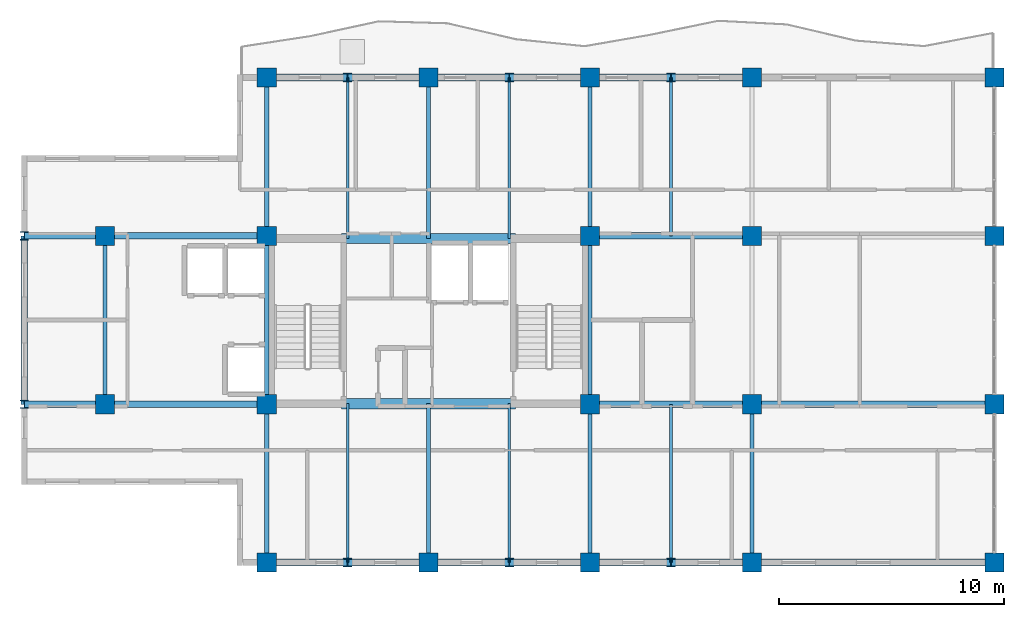
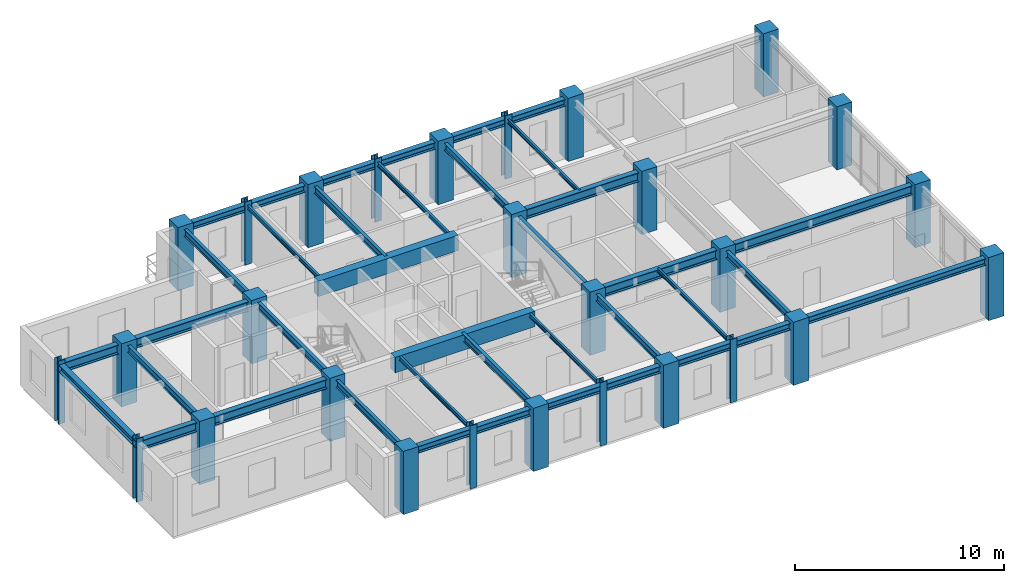
# One storey, part 1 of 10: 39 beams, 28 columns.
"""IFC4 building model written with IfcOpenShell, lengths in metres."""

from ifc_helpers import new_model, si_unit, direction, frame, origin, origin_2d, place, context, subcontext, project, spatial, rectangle, i_section, extrude, source, transform, mapped, material, material_profile, profile_set, type_object, element, save


model = new_model("IFC4")

# Units and contexts
model_context = context("Model", 3, precision=1e-05, world=origin(), true_north=direction((0.0, 1.0)))
body_context = subcontext(model_context, "Body", "Model", "MODEL_VIEW")
ifc_project = project(units=[si_unit("LENGTHUNIT", "METRE"), si_unit("AREAUNIT", "SQUARE_METRE"), si_unit("VOLUMEUNIT", "CUBIC_METRE"), si_unit("PLANEANGLEUNIT", "RADIAN"), si_unit("MASSUNIT", "GRAM", prefix="KILO")], contexts=[model_context])

# Site, building, storey
site_placement = place(None, origin())
site = spatial("IfcSite", under=ifc_project, at=site_placement, CompositionType="ELEMENT")
building_placement = place(site_placement, origin())
building = spatial("IfcBuilding", under=site, at=building_placement, Name="Kaliganga Portal Commons", CompositionType="ELEMENT")
storey_placement = place(building_placement, frame((0.0, 0.0, 283.199951171875)))
storey = spatial("IfcBuildingStorey", under=building, at=storey_placement, Name="L73", CompositionType="ELEMENT", Elevation=283.199951171875)

# Columns
ifc_material_1 = material(Name="Concrete C50/60", Category="concrete")
ifc_material_profile_1 = material_profile(ifc_material_1, rectangle(XDim=0.85009765625, YDim=0.85009765625, at=origin_2d()), Name="RC 850x850")
ifc_profile_set_1 = profile_set([ifc_material_profile_1], Name="Concrete C50/60")
column_type_1 = type_object("IfcColumnType", Name="COL-MEGA-Z5", PredefinedType="COLUMN", material=ifc_profile_set_1)
shared_shape_1 = source(origin(), body_context, "Body", "SweptSolid", [
    extrude(rectangle(XDim=0.85009765625, YDim=0.85009765625, at=origin_2d()), origin(), (0.0, 0.0, 1.0), 3.699951171875),
])
for number, where, z_axis, x_axis, name in (
    (1, (7.199951171875, 28.64990234375, 0.0), (0.0, 0.0, 1.0), (1.0, 0.0, 0.0), "Column MC-06 L73"),
    (2, (7.199951171875, 36.14990234375, 0.0), (0.0, 0.0, 1.0), (1.0, 0.0, 0.0), "Column MC-06 L73"),
    (3, (14.39990234375, 21.60009765625, 0.0), (0.0, 0.0, 1.0), (1.0, 0.0, 0.0), "Column MC-06 L73"),
    (4, (14.39990234375, 28.64990234375, 0.0), (0.0, 0.0, 1.0), (1.0, 0.0, 0.0), "Column MC-06 L73"),
    (5, (14.39990234375, 36.14990234375, 0.0), (0.0, 0.0, 1.0), (1.0, 0.0, 0.0), "Column MC-06 L73"),
    (6, (14.39990234375, 43.199951171875, 0.0), (0.0, 0.0, 1.0), (1.0, 0.0, 0.0), "Column MC-06 L73"),
    (7, (21.60009765625, 21.60009765625, 0.0), (0.0, 0.0, 1.0), (1.0, 0.0, 0.0), "Column MC-06 L73"),
    (8, (21.60009765625, 43.199951171875, 0.0), (0.0, 0.0, 1.0), (1.0, 0.0, 0.0), "Column MC-06 L73"),
    (9, (28.800048828125, 21.60009765625, 0.0), (0.0, 0.0, 1.0), (1.0, 0.0, 0.0), "Column MC-06 L73"),
    (10, (28.800048828125, 28.64990234375, 0.0), (0.0, 0.0, 1.0), (1.0, 0.0, 0.0), "Column MC-06 L73"),
    (11, (28.800048828125, 36.14990234375, 0.0), (0.0, 0.0, 1.0), (1.0, 0.0, 0.0), "Column MC-06 L73"),
    (12, (28.800048828125, 43.199951171875, 0.0), (0.0, 0.0, 1.0), (1.0, 0.0, 0.0), "Column MC-06 L73"),
    (13, (36.0, 21.60009765625, 0.0), (0.0, 0.0, 1.0), (1.0, 0.0, 0.0), "Column MC-06 L73"),
    (14, (36.0, 43.199951171875, 0.0), (0.0, 0.0, 1.0), (1.0, 0.0, 0.0), "Column MC-06 L73"),
    (15, (36.0, 28.64990234375, 0.0), (0.0, 0.0, 1.0), (1.0, 0.0, 0.0), "Column MC-06 L73"),
    (16, (36.0, 36.14990234375, 0.0), (0.0, 0.0, 1.0), (1.0, 0.0, 0.0), "Column MC-06 L73"),
    (17, (46.800048828125, 21.60009765625, 0.0), (0.0, 0.0, 1.0), (1.0, 0.0, 0.0), "Column MC-06 L73"),
    (18, (46.800048828125, 28.64990234375, 0.0), (0.0, 0.0, 1.0), (1.0, 0.0, 0.0), "Column MC-06 L73"),
    (19, (46.800048828125, 36.14990234375, 0.0), (0.0, 0.0, 1.0), (1.0, 0.0, 0.0), "Column MC-06 L73"),
    (20, (46.800048828125, 43.199951171875, 0.0), (0.0, 0.0, 1.0), (1.0, 0.0, 0.0), "Column MC-06 L73"),
):
    element("IfcColumn", number, at=place(storey_placement, frame(where, z_axis=z_axis, x_axis=x_axis)), inside=storey, type_object=column_type_1, Name=name, PredefinedType="COLUMN", context=body_context, shape_type="MappedRepresentation", body=[
        mapped(shared_shape_1, transform((0.0, 0.0, 0.0), x_axis=(1.0, 0.0, 0.0), y_axis=(0.0, 1.0, 0.0), z_axis=(0.0, 0.0, 1.0), scale=1.0)),
    ])
ifc_material_2 = material(Name="Structural steel S355J2", Category="steel")
ifc_material_profile_2 = material_profile(ifc_material_2, i_section(OverallWidth=0.3740234375, OverallDepth=0.3720703125, WebThickness=0.014892578125, FlangeThickness=0.02587890625, FilletRadius=0.014892578125, at=origin_2d()), Name="HD 360x196")
ifc_profile_set_2 = profile_set([ifc_material_profile_2], Name="Structural steel S355J2 wide-flange")
column_type_2 = type_object("IfcColumnType", Name="COL-TUBE-B5", PredefinedType="COLUMN", material=ifc_profile_set_2)
shared_shape_2 = source(origin(), body_context, "Body", "SweptSolid", [
    extrude(i_section(OverallWidth=0.3740234375, OverallDepth=0.3720703125, WebThickness=0.014892578125, FlangeThickness=0.02587890625, FilletRadius=0.014892578125, at=origin_2d()), origin(), (0.0, 0.0, 1.0), 3.699951171875),
])
for number, where, z_axis, x_axis, name in (
    (21, (3.60009765625, 28.64990234375, 0.0), (0.0, 0.0, 1.0), (1.0, 0.0, 0.0), "Column TC-05 L73"),
    (22, (3.60009765625, 36.14990234375, 0.0), (0.0, 0.0, 1.0), (1.0, 0.0, 0.0), "Column TC-05 L73"),
    (23, (18.0, 21.60009765625, 0.0), (0.0, 0.0, 1.0), (1.0, 0.0, 0.0), "Column TC-05 L73"),
    (24, (18.0, 43.199951171875, 0.0), (0.0, 0.0, 1.0), (1.0, 0.0, 0.0), "Column TC-05 L73"),
    (25, (25.199951171875, 21.60009765625, 0.0), (0.0, 0.0, 1.0), (1.0, 0.0, 0.0), "Column TC-05 L73"),
    (26, (25.199951171875, 43.199951171875, 0.0), (0.0, 0.0, 1.0), (1.0, 0.0, 0.0), "Column TC-05 L73"),
    (27, (32.39990234375, 21.60009765625, 0.0), (0.0, 0.0, 1.0), (1.0, 0.0, 0.0), "Column TC-05 L73"),
    (28, (32.39990234375, 43.199951171875, 0.0), (0.0, 0.0, 1.0), (1.0, 0.0, 0.0), "Column TC-05 L73"),
):
    element("IfcColumn", number, at=place(storey_placement, frame(where, z_axis=z_axis, x_axis=x_axis)), inside=storey, type_object=column_type_2, Name=name, PredefinedType="COLUMN", context=body_context, shape_type="MappedRepresentation", body=[
        mapped(shared_shape_2, transform((0.0, 0.0, 0.0), x_axis=(1.0, 0.0, 0.0), y_axis=(0.0, 1.0, 0.0), z_axis=(0.0, 0.0, 1.0), scale=1.0)),
    ])

# Beams
ifc_material_profile_3 = material_profile(ifc_material_1, rectangle(XDim=0.449951171875, YDim=0.89990234375, at=origin_2d()), Name="RC 450x900")
ifc_profile_set_3 = profile_set([ifc_material_profile_3], Name="Concrete C50/60")
beam_type_1 = type_object("IfcBeamType", Name="BM-CPL-900", PredefinedType="LINTEL", material=ifc_profile_set_3)
shared_shape_3 = source(origin(), body_context, "Body", "SweptSolid", [
    extrude(rectangle(XDim=0.449951171875, YDim=0.89990234375, at=origin_2d()), origin(), (0.0, 0.0, 1.0), 7.739990234375),
])
for number, where, z_axis, x_axis, name in (
    (29, (17.72998046875, 28.675048828125, 3.025146484375), (1.0, 0.0, 0.0), (0.0, 1.0, 0.0), "BM CPL COREA L73 S"),
    (30, (17.72998046875, 36.02490234375, 3.025146484375), (1.0, 0.0, 0.0), (0.0, 1.0, 0.0), "BM CPL COREA L73 N"),
):
    element("IfcBeam", number, at=place(storey_placement, frame(where, z_axis=z_axis, x_axis=x_axis)), inside=storey, type_object=beam_type_1, Name=name, PredefinedType="LINTEL", context=body_context, shape_type="MappedRepresentation", body=[
        mapped(shared_shape_3, transform((0.0, 0.0, 0.0), x_axis=(1.0, 0.0, 0.0), y_axis=(0.0, 1.0, 0.0), z_axis=(0.0, 0.0, 1.0), scale=1.0)),
    ])
ifc_material_profile_4 = material_profile(ifc_material_2, i_section(OverallWidth=0.300048828125, OverallDepth=0.39990234375, WebThickness=0.013427734375, FlangeThickness=0.02392578125, FilletRadius=0.027099609375, at=origin_2d()), Name="HE 400 B")
ifc_profile_set_4 = profile_set([ifc_material_profile_4], Name="Structural steel S355J2 wide-flange")
beam_type_2 = type_object("IfcBeamType", Name="BM-SPAND-400", PredefinedType="SPANDREL", material=ifc_profile_set_4)
shared_shape_4 = source(origin(), body_context, "Body", "SweptSolid", [
    extrude(i_section(OverallWidth=0.300048828125, OverallDepth=0.39990234375, WebThickness=0.013427734375, FlangeThickness=0.02392578125, FilletRadius=0.027099609375, at=origin_2d()), origin(), (0.0, 0.0, 1.0), 3.60009765625),
])
for number, where, z_axis, x_axis, name in (
    (31, (14.39990234375, 43.199951171875, 3.275146484375), (1.0, 0.0, 0.0), (0.0, 1.0, 0.0), "BM SP L73 AN 1"),
    (32, (18.0, 43.199951171875, 3.275146484375), (1.0, 0.0, 0.0), (0.0, 1.0, 0.0), "BM SP L73 AN 2"),
    (33, (25.199951171875, 43.199951171875, 3.275146484375), (1.0, 0.0, 0.0), (0.0, 1.0, 0.0), "BM SP L73 AN 4"),
    (34, (32.39990234375, 43.199951171875, 3.275146484375), (1.0, 0.0, 0.0), (0.0, 1.0, 0.0), "BM SP L73 AN 6"),
    (35, (14.39990234375, 21.60009765625, 3.275146484375), (1.0, 0.0, 0.0), (0.0, 1.0, 0.0), "BM SP L73 AS 1"),
    (36, (18.0, 21.60009765625, 3.275146484375), (1.0, 0.0, 0.0), (0.0, 1.0, 0.0), "BM SP L73 AS 2"),
    (37, (25.199951171875, 21.60009765625, 3.275146484375), (1.0, 0.0, 0.0), (0.0, 1.0, 0.0), "BM SP L73 AS 4"),
    (38, (32.39990234375, 21.60009765625, 3.275146484375), (1.0, 0.0, 0.0), (0.0, 1.0, 0.0), "BM SP L73 AS 6"),
):
    element("IfcBeam", number, at=place(storey_placement, frame(where, z_axis=z_axis, x_axis=x_axis)), inside=storey, type_object=beam_type_2, Name=name, PredefinedType="SPANDREL", context=body_context, shape_type="MappedRepresentation", body=[
        mapped(shared_shape_4, transform((0.0, 0.0, 0.0), x_axis=(1.0, 0.0, 0.0), y_axis=(0.0, 1.0, 0.0), z_axis=(0.0, 0.0, 1.0), scale=1.0)),
    ])
shared_shape_5 = source(origin(), body_context, "Body", "SweptSolid", [
    extrude(i_section(OverallWidth=0.300048828125, OverallDepth=0.39990234375, WebThickness=0.013427734375, FlangeThickness=0.02392578125, FilletRadius=0.027099609375, at=origin_2d()), origin(), (0.0, 0.0, 1.0), 3.599853515625),
])
for number, where, z_axis, x_axis, name in (
    (39, (21.60009765625, 43.199951171875, 3.275146484375), (1.0, 0.0, 0.0), (0.0, 1.0, 0.0), "BM SP L73 AN 3"),
    (40, (28.800048828125, 43.199951171875, 3.275146484375), (1.0, 0.0, 0.0), (0.0, 1.0, 0.0), "BM SP L73 AN 5"),
    (41, (21.60009765625, 21.60009765625, 3.275146484375), (1.0, 0.0, 0.0), (0.0, 1.0, 0.0), "BM SP L73 AS 3"),
    (42, (28.800048828125, 21.60009765625, 3.275146484375), (1.0, 0.0, 0.0), (0.0, 1.0, 0.0), "BM SP L73 AS 5"),
):
    element("IfcBeam", number, at=place(storey_placement, frame(where, z_axis=z_axis, x_axis=x_axis)), inside=storey, type_object=beam_type_2, Name=name, PredefinedType="SPANDREL", context=body_context, shape_type="MappedRepresentation", body=[
        mapped(shared_shape_5, transform((0.0, 0.0, 0.0), x_axis=(1.0, 0.0, 0.0), y_axis=(0.0, 1.0, 0.0), z_axis=(0.0, 0.0, 1.0), scale=1.0)),
    ])
shared_shape_6 = source(origin(), body_context, "Body", "SweptSolid", [
    extrude(i_section(OverallWidth=0.300048828125, OverallDepth=0.39990234375, WebThickness=0.013427734375, FlangeThickness=0.02392578125, FilletRadius=0.027099609375, at=origin_2d()), origin(), (0.0, 0.0, 1.0), 10.800048828125),
])
beam_1_placement = place(storey_placement, frame((36.0, 21.60009765625, 3.275146484375), z_axis=(1.0, 0.0, 0.0), x_axis=(0.0, 1.0, 0.0)))
element("IfcBeam", 43, at=beam_1_placement, inside=storey, type_object=beam_type_2, Name="BM SP L73 AS 7", PredefinedType="SPANDREL", context=body_context, shape_type="MappedRepresentation", body=[
    mapped(shared_shape_6, transform((0.0, 0.0, 0.0), x_axis=(1.0, 0.0, 0.0), y_axis=(0.0, 1.0, 0.0), z_axis=(0.0, 0.0, 1.0), scale=1.0)),
])
ifc_material_profile_5 = material_profile(ifc_material_2, i_section(OverallWidth=0.300048828125, OverallDepth=0.550048828125, WebThickness=0.014892578125, FlangeThickness=0.029052734375, FilletRadius=0.027099609375, at=origin_2d()), Name="HE 550 B")
ifc_profile_set_5 = profile_set([ifc_material_profile_5], Name="Structural steel S355J2 wide-flange")
beam_type_3 = type_object("IfcBeamType", Name="BM-GIRD-550", PredefinedType="USERDEFINED", material=ifc_profile_set_5)
shared_shape_7 = source(origin(), body_context, "Body", "SweptSolid", [
    extrude(i_section(OverallWidth=0.300048828125, OverallDepth=0.550048828125, WebThickness=0.014892578125, FlangeThickness=0.029052734375, FilletRadius=0.027099609375, at=origin_2d()), origin(), (0.0, 0.0, 1.0), 7.199951171875),
])
for number, where, z_axis, x_axis, name in (
    (44, (7.199951171875, 28.64990234375, 3.199951171875), (1.0, 0.0, 0.0), (0.0, 1.0, 0.0), "BM G L73 WAH_S 2"),
    (45, (7.199951171875, 36.14990234375, 3.199951171875), (1.0, 0.0, 0.0), (0.0, 1.0, 0.0), "BM G L73 WAH_N 2"),
    (46, (28.800048828125, 28.64990234375, 3.199951171875), (1.0, 0.0, 0.0), (0.0, 1.0, 0.0), "BM G L73 WAE_S 1"),
    (47, (28.800048828125, 36.14990234375, 3.199951171875), (1.0, 0.0, 0.0), (0.0, 1.0, 0.0), "BM G L73 WAE_N 1"),
):
    element("IfcBeam", number, at=place(storey_placement, frame(where, z_axis=z_axis, x_axis=x_axis)), inside=storey, type_object=beam_type_3, Name=name, ObjectType="GIRDER", PredefinedType="USERDEFINED", context=body_context, shape_type="MappedRepresentation", body=[
        mapped(shared_shape_7, transform((0.0, 0.0, 0.0), x_axis=(1.0, 0.0, 0.0), y_axis=(0.0, 1.0, 0.0), z_axis=(0.0, 0.0, 1.0), scale=1.0)),
    ])
shared_shape_8 = source(origin(), body_context, "Body", "SweptSolid", [
    extrude(i_section(OverallWidth=0.300048828125, OverallDepth=0.550048828125, WebThickness=0.014892578125, FlangeThickness=0.029052734375, FilletRadius=0.027099609375, at=origin_2d()), origin(), (0.0, 0.0, 1.0), 10.800048828125),
])
beam_2_placement = place(storey_placement, frame((36.0, 28.64990234375, 3.199951171875), z_axis=(1.0, 0.0, 0.0), x_axis=(0.0, 1.0, 0.0)))
element("IfcBeam", 48, at=beam_2_placement, inside=storey, type_object=beam_type_3, Name="BM G L73 WAE_S 2", ObjectType="GIRDER", PredefinedType="USERDEFINED", context=body_context, shape_type="MappedRepresentation", body=[
    mapped(shared_shape_8, transform((0.0, 0.0, 0.0), x_axis=(1.0, 0.0, 0.0), y_axis=(0.0, 1.0, 0.0), z_axis=(0.0, 0.0, 1.0), scale=1.0)),
])
shared_shape_9 = source(origin(), body_context, "Body", "SweptSolid", [
    extrude(i_section(OverallWidth=0.300048828125, OverallDepth=0.550048828125, WebThickness=0.014892578125, FlangeThickness=0.029052734375, FilletRadius=0.027099609375, at=origin_2d()), origin(), (0.0, 0.0, 1.0), 3.599853515625),
])
for number, where, z_axis, x_axis, name in (
    (49, (3.60009765625, 28.64990234375, 3.199951171875), (1.0, 0.0, 0.0), (0.0, 1.0, 0.0), "BM G L73 WAH_S 1"),
    (50, (3.60009765625, 36.14990234375, 3.199951171875), (1.0, 0.0, 0.0), (0.0, 1.0, 0.0), "BM G L73 WAH_N 1"),
):
    element("IfcBeam", number, at=place(storey_placement, frame(where, z_axis=z_axis, x_axis=x_axis)), inside=storey, type_object=beam_type_3, Name=name, ObjectType="GIRDER", PredefinedType="USERDEFINED", context=body_context, shape_type="MappedRepresentation", body=[
        mapped(shared_shape_9, transform((0.0, 0.0, 0.0), x_axis=(1.0, 0.0, 0.0), y_axis=(0.0, 1.0, 0.0), z_axis=(0.0, 0.0, 1.0), scale=1.0)),
    ])
shared_shape_10 = source(origin(), body_context, "Body", "SweptSolid", [
    extrude(i_section(OverallWidth=0.300048828125, OverallDepth=0.39990234375, WebThickness=0.013427734375, FlangeThickness=0.02392578125, FilletRadius=0.027099609375, at=origin_2d()), origin(), (0.0, 0.0, 1.0), 7.5),
])
beam_3_placement = place(storey_placement, frame((3.60009765625, 28.64990234375, 3.275146484375), z_axis=(0.0, 1.0, 0.0), x_axis=(-1.0, 0.0, 0.0)))
element("IfcBeam", 51, at=beam_3_placement, inside=storey, type_object=beam_type_2, Name="BM SP L73 AW", PredefinedType="SPANDREL", context=body_context, shape_type="MappedRepresentation", body=[
    mapped(shared_shape_10, transform((0.0, 0.0, 0.0), x_axis=(1.0, 0.0, 0.0), y_axis=(0.0, 1.0, 0.0), z_axis=(0.0, 0.0, 1.0), scale=1.0)),
])
ifc_material_profile_6 = material_profile(ifc_material_2, i_section(OverallWidth=0.179931640625, OverallDepth=0.39990234375, WebThickness=0.008544921875, FlangeThickness=0.013427734375, FilletRadius=0.02099609375, at=origin_2d()), Name="IPE 400")
ifc_profile_set_6 = profile_set([ifc_material_profile_6], Name="Structural steel S355J2 wide-flange")
beam_type_4 = type_object("IfcBeamType", Name="BM-FLR-400", PredefinedType="BEAM", material=ifc_profile_set_6)
shared_shape_11 = source(origin(), body_context, "Body", "SweptSolid", [
    extrude(i_section(OverallWidth=0.179931640625, OverallDepth=0.39990234375, WebThickness=0.008544921875, FlangeThickness=0.013427734375, FilletRadius=0.02099609375, at=origin_2d()), origin(), (0.0, 0.0, 1.0), 7.5),
])
for number, where, z_axis, x_axis, name in (
    (52, (7.199951171875, 28.64990234375, 3.275146484375), (0.0, 1.0, 0.0), (-1.0, 0.0, 0.0), "BM G L73 AW72"),
    (53, (14.39990234375, 28.64990234375, 3.275146484375), (0.0, 1.0, 0.0), (-1.0, 0.0, 0.0), "BM G L73 AM144"),
    (54, (28.800048828125, 28.64990234375, 3.275146484375), (0.0, 1.0, 0.0), (-1.0, 0.0, 0.0), "BM G L73 AM288"),
):
    element("IfcBeam", number, at=place(storey_placement, frame(where, z_axis=z_axis, x_axis=x_axis)), inside=storey, type_object=beam_type_4, Name=name, PredefinedType="BEAM", context=body_context, shape_type="MappedRepresentation", body=[
        mapped(shared_shape_11, transform((0.0, 0.0, 0.0), x_axis=(1.0, 0.0, 0.0), y_axis=(0.0, 1.0, 0.0), z_axis=(0.0, 0.0, 1.0), scale=1.0)),
    ])
shared_shape_12 = source(origin(), body_context, "Body", "SweptSolid", [
    extrude(i_section(OverallWidth=0.179931640625, OverallDepth=0.39990234375, WebThickness=0.008544921875, FlangeThickness=0.013427734375, FilletRadius=0.02099609375, at=origin_2d()), origin(), (0.0, 0.0, 1.0), 7.050048828125),
])
for number, where, z_axis, x_axis, name in (
    (55, (14.39990234375, 36.14990234375, 3.275146484375), (0.0, 1.0, 0.0), (-1.0, 0.0, 0.0), "BM G L73 AN144"),
    (56, (28.800048828125, 36.14990234375, 3.275146484375), (0.0, 1.0, 0.0), (-1.0, 0.0, 0.0), "BM G L73 AN288"),
):
    element("IfcBeam", number, at=place(storey_placement, frame(where, z_axis=z_axis, x_axis=x_axis)), inside=storey, type_object=beam_type_4, Name=name, PredefinedType="BEAM", context=body_context, shape_type="MappedRepresentation", body=[
        mapped(shared_shape_12, transform((0.0, 0.0, 0.0), x_axis=(1.0, 0.0, 0.0), y_axis=(0.0, 1.0, 0.0), z_axis=(0.0, 0.0, 1.0), scale=1.0)),
    ])
shared_shape_13 = source(origin(), body_context, "Body", "SweptSolid", [
    extrude(i_section(OverallWidth=0.179931640625, OverallDepth=0.39990234375, WebThickness=0.008544921875, FlangeThickness=0.013427734375, FilletRadius=0.02099609375, at=origin_2d()), origin(), (0.0, 0.0, 1.0), 7.0498046875),
])
for number, where, z_axis, x_axis, name in (
    (57, (14.39990234375, 21.60009765625, 3.275146484375), (0.0, 1.0, 0.0), (-1.0, 0.0, 0.0), "BM G L73 AS144"),
    (58, (28.800048828125, 21.60009765625, 3.275146484375), (0.0, 1.0, 0.0), (-1.0, 0.0, 0.0), "BM G L73 AS288"),
    (59, (36.0, 21.60009765625, 3.275146484375), (0.0, 1.0, 0.0), (-1.0, 0.0, 0.0), "BM G L73 AS360"),
):
    element("IfcBeam", number, at=place(storey_placement, frame(where, z_axis=z_axis, x_axis=x_axis)), inside=storey, type_object=beam_type_4, Name=name, PredefinedType="BEAM", context=body_context, shape_type="MappedRepresentation", body=[
        mapped(shared_shape_13, transform((0.0, 0.0, 0.0), x_axis=(1.0, 0.0, 0.0), y_axis=(0.0, 1.0, 0.0), z_axis=(0.0, 0.0, 1.0), scale=1.0)),
    ])
shared_shape_14 = source(origin(), body_context, "Body", "SweptSolid", [
    extrude(i_section(OverallWidth=0.179931640625, OverallDepth=0.39990234375, WebThickness=0.008544921875, FlangeThickness=0.013427734375, FilletRadius=0.02099609375, at=origin_2d()), origin(), (0.0, 0.0, 1.0), 7.175048828125),
])
beam_4_placement = place(storey_placement, frame((21.60009765625, 36.02490234375, 3.275146484375), z_axis=(0.0, 1.0, 0.0), x_axis=(-1.0, 0.0, 0.0)))
element("IfcBeam", 60, at=beam_4_placement, inside=storey, type_object=beam_type_4, Name="BM G L73 AN216", PredefinedType="BEAM", context=body_context, shape_type="MappedRepresentation", body=[
    mapped(shared_shape_14, transform((0.0, 0.0, 0.0), x_axis=(1.0, 0.0, 0.0), y_axis=(0.0, 1.0, 0.0), z_axis=(0.0, 0.0, 1.0), scale=1.0)),
])
shared_shape_15 = source(origin(), body_context, "Body", "SweptSolid", [
    extrude(i_section(OverallWidth=0.179931640625, OverallDepth=0.39990234375, WebThickness=0.008544921875, FlangeThickness=0.013427734375, FilletRadius=0.02099609375, at=origin_2d()), origin(), (0.0, 0.0, 1.0), 7.074951171875),
])
beam_5_placement = place(storey_placement, frame((21.60009765625, 21.60009765625, 3.275146484375), z_axis=(0.0, 1.0, 0.0), x_axis=(-1.0, 0.0, 0.0)))
element("IfcBeam", 61, at=beam_5_placement, inside=storey, type_object=beam_type_4, Name="BM G L73 AS216", PredefinedType="BEAM", context=body_context, shape_type="MappedRepresentation", body=[
    mapped(shared_shape_15, transform((0.0, 0.0, 0.0), x_axis=(1.0, 0.0, 0.0), y_axis=(0.0, 1.0, 0.0), z_axis=(0.0, 0.0, 1.0), scale=1.0)),
])
ifc_material_profile_7 = material_profile(ifc_material_2, i_section(OverallWidth=0.1201171875, OverallDepth=0.239990234375, WebThickness=0.006103515625, FlangeThickness=0.009765625, FilletRadius=0.014892578125, at=origin_2d()), Name="IPE 240")
ifc_profile_set_7 = profile_set([ifc_material_profile_7], Name="Structural steel S355J2 wide-flange")
beam_type_5 = type_object("IfcBeamType", Name="BM-JST-240", PredefinedType="JOIST", material=ifc_profile_set_7)
shared_shape_16 = source(origin(), body_context, "Body", "SweptSolid", [
    extrude(i_section(OverallWidth=0.1201171875, OverallDepth=0.239990234375, WebThickness=0.006103515625, FlangeThickness=0.009765625, FilletRadius=0.014892578125, at=origin_2d()), origin(), (0.0, 0.0, 1.0), 7.175048828125),
])
for number, where, z_axis, x_axis, name in (
    (62, (18.0, 36.02490234375, 3.35498046875), (0.0, 1.0, 0.0), (-1.0, 0.0, 0.0), "BM G L73 AN180"),
    (63, (25.199951171875, 36.02490234375, 3.35498046875), (0.0, 1.0, 0.0), (-1.0, 0.0, 0.0), "BM G L73 AN252"),
):
    element("IfcBeam", number, at=place(storey_placement, frame(where, z_axis=z_axis, x_axis=x_axis)), inside=storey, type_object=beam_type_5, Name=name, PredefinedType="JOIST", context=body_context, shape_type="MappedRepresentation", body=[
        mapped(shared_shape_16, transform((0.0, 0.0, 0.0), x_axis=(1.0, 0.0, 0.0), y_axis=(0.0, 1.0, 0.0), z_axis=(0.0, 0.0, 1.0), scale=1.0)),
    ])
shared_shape_17 = source(origin(), body_context, "Body", "SweptSolid", [
    extrude(i_section(OverallWidth=0.1201171875, OverallDepth=0.239990234375, WebThickness=0.006103515625, FlangeThickness=0.009765625, FilletRadius=0.014892578125, at=origin_2d()), origin(), (0.0, 0.0, 1.0), 7.074951171875),
])
for number, where, z_axis, x_axis, name in (
    (64, (18.0, 21.60009765625, 3.35498046875), (0.0, 1.0, 0.0), (-1.0, 0.0, 0.0), "BM G L73 AS180"),
    (65, (25.199951171875, 21.60009765625, 3.35498046875), (0.0, 1.0, 0.0), (-1.0, 0.0, 0.0), "BM G L73 AS252"),
):
    element("IfcBeam", number, at=place(storey_placement, frame(where, z_axis=z_axis, x_axis=x_axis)), inside=storey, type_object=beam_type_5, Name=name, PredefinedType="JOIST", context=body_context, shape_type="MappedRepresentation", body=[
        mapped(shared_shape_17, transform((0.0, 0.0, 0.0), x_axis=(1.0, 0.0, 0.0), y_axis=(0.0, 1.0, 0.0), z_axis=(0.0, 0.0, 1.0), scale=1.0)),
    ])
shared_shape_18 = source(origin(), body_context, "Body", "SweptSolid", [
    extrude(i_section(OverallWidth=0.1201171875, OverallDepth=0.239990234375, WebThickness=0.006103515625, FlangeThickness=0.009765625, FilletRadius=0.014892578125, at=origin_2d()), origin(), (0.0, 0.0, 1.0), 7.050048828125),
])
beam_6_placement = place(storey_placement, frame((32.39990234375, 36.14990234375, 3.35498046875), z_axis=(0.0, 1.0, 0.0), x_axis=(-1.0, 0.0, 0.0)))
element("IfcBeam", 66, at=beam_6_placement, inside=storey, type_object=beam_type_5, Name="BM G L73 AN324", PredefinedType="JOIST", context=body_context, shape_type="MappedRepresentation", body=[
    mapped(shared_shape_18, transform((0.0, 0.0, 0.0), x_axis=(1.0, 0.0, 0.0), y_axis=(0.0, 1.0, 0.0), z_axis=(0.0, 0.0, 1.0), scale=1.0)),
])
shared_shape_19 = source(origin(), body_context, "Body", "SweptSolid", [
    extrude(i_section(OverallWidth=0.1201171875, OverallDepth=0.239990234375, WebThickness=0.006103515625, FlangeThickness=0.009765625, FilletRadius=0.014892578125, at=origin_2d()), origin(), (0.0, 0.0, 1.0), 7.0498046875),
])
beam_7_placement = place(storey_placement, frame((32.39990234375, 21.60009765625, 3.35498046875), z_axis=(0.0, 1.0, 0.0), x_axis=(-1.0, 0.0, 0.0)))
element("IfcBeam", 67, at=beam_7_placement, inside=storey, type_object=beam_type_5, Name="BM G L73 AS324", PredefinedType="JOIST", context=body_context, shape_type="MappedRepresentation", body=[
    mapped(shared_shape_19, transform((0.0, 0.0, 0.0), x_axis=(1.0, 0.0, 0.0), y_axis=(0.0, 1.0, 0.0), z_axis=(0.0, 0.0, 1.0), scale=1.0)),
])

save(model, "model.ifc")
